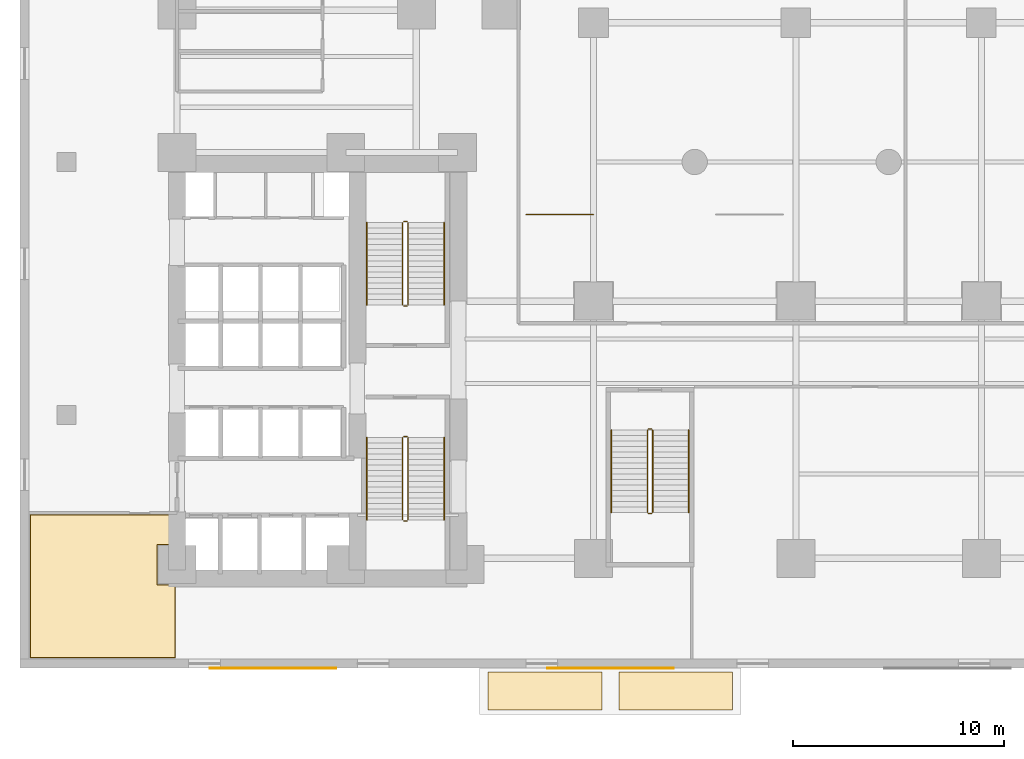
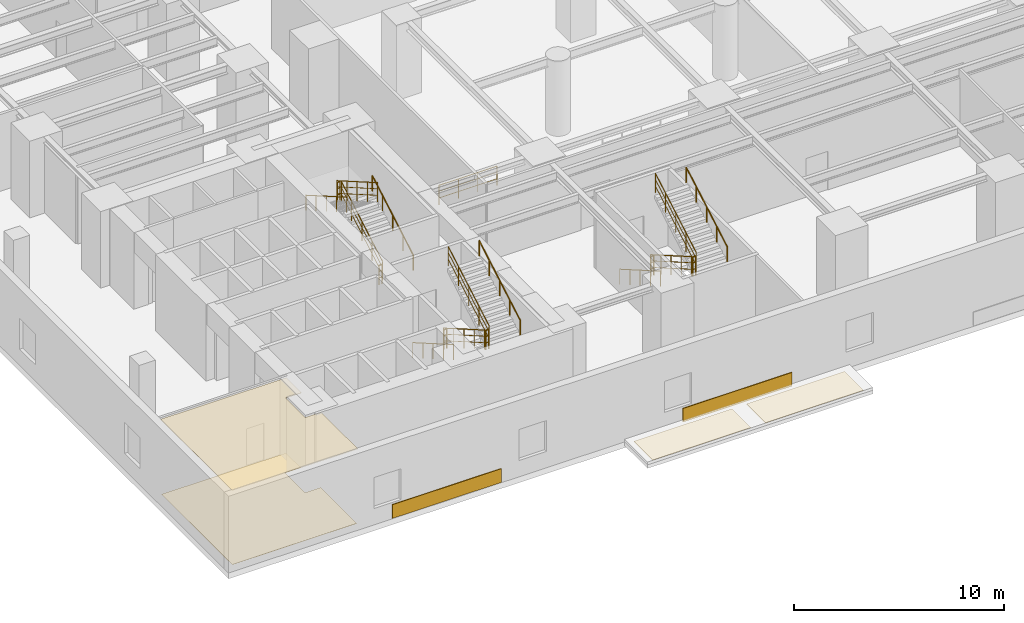
# One storey, part 16 of 17: 19 railings, 6 coverings.
"""IFC4 building model written with IfcOpenShell, lengths in metres."""

import ifcopenshell
import ifcopenshell.guid

model = None  # the IFC model being written
_history = None  # IfcOwnerHistory: only IFC2X3 demands one
_inside = {}  # id of a spatial element -> (the spatial element, [elements in it])
_under = {}  # id of a project, library or spatial element -> (it, [spatial elements below it])
_declared = {}  # id of a project -> (the project, [libraries it declares])
_typed = {}  # id of a type object -> (the type object, [elements of that type])
_made_of = {}  # id of a material, layer set ... -> (it, [elements and type objects made of it])


def new_model(schema):
    """Start an empty IFC model of exactly this schema.

    Asked for "IFC4X3", IfcOpenShell would pick the latest addendum, in which some entities
    have other attributes; the version numbers below select the first issue.
    IFC2X3 requires an IfcOwnerHistory on every rooted entity: one is made here for all.
    """
    global model, _history
    if schema == "IFC4X3":
        model = ifcopenshell.file(schema_version=(4, 3, 0, 0))
    else:
        model = ifcopenshell.file(schema=schema)
    _inside.clear()
    _under.clear()
    _declared.clear()
    _typed.clear()
    _made_of.clear()
    _history = None
    if model.schema == "IFC2X3":
        org = make("IfcOrganization", Name="unknown")
        user = make(
            "IfcPersonAndOrganization",
            ThePerson=make("IfcPerson", FamilyName="unknown"),
            TheOrganization=org,
        )
        app = make(
            "IfcApplication",
            ApplicationDeveloper=org,
            Version="unknown",
            ApplicationFullName="unknown",
            ApplicationIdentifier="unknown",
        )
        _history = make(
            "IfcOwnerHistory",
            OwningUser=user,
            OwningApplication=app,
            ChangeAction="ADDED",
            CreationDate=0,
        )
    return model


def make(cls, **values):
    """One entity of the class cls with the attributes given. An attribute that is None is left unset."""
    return model.create_entity(
        cls, **{name: value for name, value in values.items() if value is not None}
    )


def rooted(cls, **values):
    """An entity with a GlobalId (a new one), such as an element, a storey or a relation."""
    return make(cls, GlobalId=ifcopenshell.guid.new(), OwnerHistory=_history, **values)


def si_unit(unit_type, name, prefix=None):
    """IfcSIUnit, for example si_unit("LENGTHUNIT", "METRE", prefix="MILLI")."""
    return make("IfcSIUnit", UnitType=unit_type, Prefix=prefix, Name=name)


def assignment(units):
    """IfcUnitAssignment: the units of a project."""
    return None if units is None else make("IfcUnitAssignment", Units=units)


def point(xyz):
    """IfcCartesianPoint."""
    return None if xyz is None else make("IfcCartesianPoint", Coordinates=xyz)


def direction(xyz):
    """IfcDirection."""
    return None if xyz is None else make("IfcDirection", DirectionRatios=xyz)


def frame(location, z_axis=None, x_axis=None):
    """IfcAxis2Placement3D, a coordinate frame: its origin and axes. An axis left out is left unset."""
    return make(
        "IfcAxis2Placement3D",
        Location=point(location),
        Axis=direction(z_axis),
        RefDirection=direction(x_axis),
    )


def frame_2d(location, x_axis=None):
    """IfcAxis2Placement2D, a coordinate frame in the plane: its origin and x axis."""
    return make(
        "IfcAxis2Placement2D", Location=point(location), RefDirection=direction(x_axis)
    )


def origin():
    """The frame at (0, 0, 0) with its axes left unset."""
    return frame((0.0, 0.0, 0.0))


def origin_2d():
    """The frame at (0, 0) in the plane with its x axis left unset."""
    return frame_2d((0.0, 0.0))


def place(relative_to, where):
    """IfcLocalPlacement: puts the frame where relative to a parent placement (None: the world)."""
    return make(
        "IfcLocalPlacement", PlacementRelTo=relative_to, RelativePlacement=where
    )


def context(
    kind, dimensions, precision=None, world=None, true_north=None, identifier=None
):
    """IfcGeometricRepresentationContext, for example the 3D "Model" context."""
    return make(
        "IfcGeometricRepresentationContext",
        ContextIdentifier=identifier,
        ContextType=kind,
        CoordinateSpaceDimension=dimensions,
        Precision=precision,
        WorldCoordinateSystem=world,
        TrueNorth=true_north,
    )


def subcontext(parent, identifier, kind, view, scale=None):
    """IfcGeometricRepresentationSubContext, for example "Body" below "Model"."""
    return make(
        "IfcGeometricRepresentationSubContext",
        ContextIdentifier=identifier,
        ContextType=kind,
        ParentContext=parent,
        TargetScale=scale,
        TargetView=view,
    )


def project(units=None, contexts=None):
    """IfcProject with its units and contexts."""
    return rooted(
        "IfcProject",
        Name="project",
        RepresentationContexts=contexts,
        UnitsInContext=assignment(units),
    )


def spatial(cls, under=None, at=None, **own):
    """A site, building, storey or space (cls), placed at a placement, below another one or the project."""
    s = rooted(cls, ObjectPlacement=at, **own)
    if under is not None:
        _under.setdefault(under.id(), (under, []))[1].append(s)
    return s


def polyline(points):
    """IfcPolyline through the points."""
    return make("IfcPolyline", Points=[point(p) for p in points])


def profile(cls, at=None, kind="AREA", **sizes):
    """A parametric profile (cls). Its sizes go by their IFC names, for example OverallWidth=200.0."""
    return make(cls, ProfileType=kind, Position=at, **sizes)


def rectangle(**sizes):
    """IfcRectangleProfileDef."""
    return profile("IfcRectangleProfileDef", **sizes)


def circle(**sizes):
    """IfcCircleProfileDef."""
    return profile("IfcCircleProfileDef", **sizes)


def outline(outer, holes=None, kind="AREA"):
    """IfcArbitraryClosedProfileDef: a profile drawn as a closed curve; with holes, ...WithVoids."""
    if holes is None:
        return make("IfcArbitraryClosedProfileDef", ProfileType=kind, OuterCurve=outer)
    return make(
        "IfcArbitraryProfileDefWithVoids",
        ProfileType=kind,
        OuterCurve=outer,
        InnerCurves=holes,
    )


def extrude(swept, where, along, depth):
    """IfcExtrudedAreaSolid: the profile swept, set in the frame where, extruded along a direction by depth."""
    return make(
        "IfcExtrudedAreaSolid",
        SweptArea=swept,
        Position=where,
        ExtrudedDirection=direction(along),
        Depth=depth,
    )


def shape(context_of_items, identifier, shape_type, items):
    """IfcShapeRepresentation: the items that make up one representation, for example the "Body"."""
    return make(
        "IfcShapeRepresentation",
        ContextOfItems=context_of_items,
        RepresentationIdentifier=identifier,
        RepresentationType=shape_type,
        Items=items,
    )


def material(Name=None, Category=None):
    """IfcMaterial."""
    return make("IfcMaterial", Name=Name, Category=Category)


def layer(
    of_material, thickness, ventilated=None, Name=None, Category=None, Priority=None
):
    """IfcMaterialLayer: one layer of a wall or slab, of a material (None: an air gap)."""
    return make(
        "IfcMaterialLayer",
        Material=of_material,
        LayerThickness=thickness,
        IsVentilated=ventilated,
        Name=Name,
        Category=Category,
        Priority=Priority,
    )


def layer_set(layers, Name=None):
    """IfcMaterialLayerSet."""
    return make("IfcMaterialLayerSet", MaterialLayers=layers, LayerSetName=Name)


def made_of(thing, what):
    """Note that an element or type object is made of a material, layer set ...; save() writes the relation."""
    if what is not None:
        _made_of.setdefault(what.id(), (what, []))[1].append(thing)
    return thing


def type_object(cls, material=None, **own):
    """A type object (cls), such as IfcWallType, which elements share."""
    return made_of(rooted(cls, **own), material)


def element(
    cls,
    number,
    at=None,
    inside=None,
    cuts=None,
    type_object=None,
    material=None,
    context=None,
    identifier="Body",
    shape_type=None,
    held_by="IfcProductDefinitionShape",
    body=None,
    shapes=None,
    **own,
):
    """One element of the class cls, such as IfcWall. Its Tag is "e" and its number.

    at: its placement. inside: the storey or other place that contains it. cuts: it is an
    opening in that element (IfcRelVoidsElement). A single representation is given by context,
    identifier, shape_type and body (its items); several are given by shapes. held_by: the class
    of the entity that holds the representations. save() writes the other relations.
    """
    e = rooted(cls, Tag="e%d" % number, ObjectPlacement=at, **own)
    if body is not None:
        shapes = [shape(context, identifier, shape_type, body)]
    if shapes is not None:
        e.Representation = make(held_by, Representations=shapes)
    if inside is not None:
        _inside.setdefault(inside.id(), (inside, []))[1].append(e)
    if cuts is not None:
        rooted(
            "IfcRelVoidsElement", RelatingBuildingElement=cuts, RelatedOpeningElement=e
        )
    if type_object is not None:
        _typed.setdefault(type_object.id(), (type_object, []))[1].append(e)
    return made_of(e, material)


def aggregate(whole, parts):
    """IfcRelAggregates: a whole, such as a stair, and the parts it consists of."""
    return rooted("IfcRelAggregates", RelatingObject=whole, RelatedObjects=parts)


def save(model, path):
    """Write the relations noted so far, then the file.

    IfcRelAggregates (storeys below a building ...), IfcRelContainedInSpatialStructure (elements
    in a storey), IfcRelDefinesByType, IfcRelAssociatesMaterial and IfcRelDeclares: one each for
    every whole, place, type object, material and project.
    """
    for whole, parts in _under.values():
        aggregate(whole, parts)
    for where, things in _inside.values():
        rooted(
            "IfcRelContainedInSpatialStructure",
            RelatedElements=things,
            RelatingStructure=where,
        )
    for kind, things in _typed.values():
        rooted("IfcRelDefinesByType", RelatedObjects=things, RelatingType=kind)
    for what, things in _made_of.values():
        rooted("IfcRelAssociatesMaterial", RelatedObjects=things, RelatingMaterial=what)
    for by, libraries in _declared.values():
        rooted("IfcRelDeclares", RelatingContext=by, RelatedDefinitions=libraries)
    model.write(path)


model = new_model("IFC4")

# Units and contexts
model_context = context("Model", 3, precision=1e-05, world=origin(), true_north=direction((0.0, 1.0)))
body_context = subcontext(model_context, "Body", "Model", "MODEL_VIEW")
ifc_project = project(units=[si_unit("LENGTHUNIT", "METRE"), si_unit("AREAUNIT", "SQUARE_METRE"), si_unit("VOLUMEUNIT", "CUBIC_METRE"), si_unit("PLANEANGLEUNIT", "RADIAN"), si_unit("MASSUNIT", "GRAM", prefix="KILO")], contexts=[model_context])

# Site, building, storey
site_placement = place(None, origin())
site = spatial("IfcSite", under=ifc_project, at=site_placement, CompositionType="ELEMENT")
building_placement = place(site_placement, origin())
building = spatial("IfcBuilding", under=site, at=building_placement, Name="Kolvaren Waterfront Exchange", CompositionType="ELEMENT")
storey_placement = place(building_placement, frame((0.0, 0.0, 5.60009765625)))
storey = spatial("IfcBuildingStorey", under=building, at=storey_placement, Name="L02", CompositionType="ELEMENT", Elevation=5.60009765625)

# Railing
ifc_material_1 = material(Name="Anodised bronze aluminium and laminated glass", Category="aluminium")
railing_type_1 = type_object("IfcRailingType", Name="ARC-BALUSTRADE-1150", PredefinedType="BALUSTRADE", material=ifc_material_1)
railing_1_placement = place(storey_placement, frame((24.0, 21.5, 0.0)))
element("IfcRailing", 1, at=railing_1_placement, inside=storey, type_object=railing_type_1, Name="L02 gallery balustrade 1", PredefinedType="BALUSTRADE", context=body_context, shape_type="SweptSolid", body=[
    extrude(circle(Radius=0.02392578125, at=origin_2d()), frame((0.0, 0.0, 1.1259765625), z_axis=(1.0, 0.0, 0.0), x_axis=(0.0, 1.0, 0.0)), (0.0, 0.0, 1.0), 3.199951171875),
    extrude(circle(Radius=0.01611328125, at=origin_2d()), frame((0.0, 0.0, 0.390869140625), z_axis=(1.0, 0.0, 0.0), x_axis=(0.0, 1.0, 0.0)), (0.0, 0.0, 1.0), 3.199951171875),
    extrude(circle(Radius=0.01611328125, at=origin_2d()), frame((0.0, 0.0, 0.7705078125), z_axis=(1.0, 0.0, 0.0), x_axis=(0.0, 1.0, 0.0)), (0.0, 0.0, 1.0), 3.199951171875),
    extrude(circle(Radius=0.02099609375, at=origin_2d()), origin(), (0.0, 0.0, 1.0), 1.101806640625),
    extrude(circle(Radius=0.02099609375, at=origin_2d()), frame((1.066650390625, 0.0, 0.0)), (0.0, 0.0, 1.0), 1.101806640625),
    extrude(circle(Radius=0.02099609375, at=origin_2d()), frame((2.13330078125, 0.0, 0.0)), (0.0, 0.0, 1.0), 1.101806640625),
    extrude(circle(Radius=0.02099609375, at=origin_2d()), frame((3.199951171875, 0.0, 0.0)), (0.0, 0.0, 1.0), 1.101806640625),
])

# Coverings
ifc_material_2 = material(Name="Mineral fibre acoustic ceiling tile")
ifc_layer_1 = layer(ifc_material_2, 0.02490234375, Name="Mineral fibre acoustic ceiling tile")
ifc_layer_set_1 = layer_set([ifc_layer_1], Name="Mineral fibre acoustic ceiling tile")
covering_type_1 = type_object("IfcCoveringType", Name="ARC-CEIL-ACOUSTIC-25", PredefinedType="CEILING", material=ifc_layer_set_1)
covering_1_placement = place(storey_placement, frame((0.0, 0.0, 4.344970703125)))
element("IfcCovering", 2, at=covering_1_placement, inside=storey, type_object=covering_type_1, Name="L02 acoustic suspended ceiling 1", PredefinedType="CEILING", context=body_context, shape_type="SweptSolid", body=[
    extrude(outline(polyline([(7.385009765625, 3.9599609375), (6.510009765625, 3.9599609375), (6.510009765625, 5.840087890625), (7.385009765625, 5.840087890625), (7.385009765625, 7.284912109375), (0.465087890625, 7.284912109375), (0.465087890625, 0.465087890625), (7.385009765625, 0.465087890625), (7.385009765625, 3.9599609375)])), origin(), (0.0, 0.0, 1.0), 0.02490234375),
])
ifc_material_3 = material(Name="Honed grey-taupe granite stone", Category="masonry")
ifc_layer_2 = layer(ifc_material_3, 0.044921875, Name="Honed grey-taupe granite stone")
ifc_layer_set_2 = layer_set([ifc_layer_2], Name="Honed grey-taupe granite stone")
covering_type_2 = type_object("IfcCoveringType", Name="ARC-CLAD-GRANITE-45", PredefinedType="CLADDING", material=ifc_layer_set_2)
for number, where, z_axis, x_axis, name in (
    (3, (12.0, -0.02001953125, 0.0498046875), (0.0, 0.0, 1.0), (1.0, 0.0, 0.0), "L02 honed grey-taupe granite spandrel cladding S1"),
    (4, (28.0, -0.02001953125, 0.0498046875), (0.0, 0.0, 1.0), (1.0, 0.0, 0.0), "L02 honed grey-taupe granite spandrel cladding S2"),
):
    element("IfcCovering", number, at=place(storey_placement, frame(where, z_axis=z_axis, x_axis=x_axis)), inside=storey, type_object=covering_type_2, Name=name, PredefinedType="CLADDING", context=body_context, shape_type="SweptSolid", body=[
        extrude(rectangle(XDim=6.0, YDim=0.044921875, at=origin_2d()), origin(), (0.0, 0.0, 1.0), 0.800048828125),
    ])
ifc_material_4 = material(Name="Slip-resistant porcelain tile")
ifc_layer_3 = layer(ifc_material_4, 0.014892578125, Name="Slip-resistant porcelain tile")
ifc_layer_set_3 = layer_set([ifc_layer_3], Name="Slip-resistant porcelain tile")
covering_type_3 = type_object("IfcCoveringType", Name="ARC-FLR-PORC-15", PredefinedType="FLOORING", material=ifc_layer_set_3)
covering_2_placement = place(storey_placement, origin())
element("IfcCovering", 5, at=covering_2_placement, inside=storey, type_object=covering_type_3, Name="L02 floor finish 1", PredefinedType="FLOORING", context=body_context, shape_type="SweptSolid", body=[
    extrude(outline(polyline([(0.5, 7.25), (0.5, 0.5), (7.35009765625, 0.5), (7.35009765625, 3.93994140625), (6.489990234375, 3.93994140625), (6.489990234375, 5.860107421875), (7.35009765625, 5.860107421875), (7.35009765625, 7.25), (0.5, 7.25)])), origin(), (0.0, 0.0, 1.0), 0.014892578125),
])

# Railings
ifc_material_5 = material(Name="Stainless steel 316", Category="steel")
railing_type_2 = type_object("IfcRailingType", Name="ARC-GUARD-STAIR", PredefinedType="GUARDRAIL", material=ifc_material_5)
railing_2_placement = place(storey_placement, frame((18.14990234375, 10.929931640625, 0.14990234375)))
element("IfcRailing", 6, at=railing_2_placement, inside=storey, type_object=railing_type_2, Name="L02 ST1 stair guard 1", PredefinedType="GUARDRAIL", context=body_context, shape_type="SweptSolid", body=[
    extrude(circle(Radius=0.02392578125, at=origin_2d()), frame((0.0, 0.0, 1.1259765625), z_axis=(0.0, -0.866180169578, 0.49973184192), x_axis=(1.0, 0.0, 0.0)), (0.0, 0.0, 1.0), 4.50244140625),
    extrude(circle(Radius=0.01611328125, at=origin_2d()), frame((0.0, 0.0, 0.390869140625), z_axis=(0.0, -0.866180169578, 0.49973184192), x_axis=(1.0, 0.0, 0.0)), (0.0, 0.0, 1.0), 4.50244140625),
    extrude(circle(Radius=0.01611328125, at=origin_2d()), frame((0.0, 0.0, 0.7705078125), z_axis=(0.0, -0.866180169578, 0.49973184192), x_axis=(1.0, 0.0, 0.0)), (0.0, 0.0, 1.0), 4.50244140625),
    extrude(circle(Radius=0.02099609375, at=origin_2d()), origin(), (0.0, 0.0, 1.0), 1.101806640625),
    extrude(circle(Radius=0.02099609375, at=origin_2d()), frame((0.0, -0.97509765625, 0.5625)), (0.0, 0.0, 1.0), 1.101806640625),
    extrude(circle(Radius=0.02099609375, at=origin_2d()), frame((0.0, -1.949951171875, 1.125)), (0.0, 0.0, 1.0), 1.101806640625),
    extrude(circle(Radius=0.02099609375, at=origin_2d()), frame((0.0, -2.9248046875, 1.6875)), (0.0, 0.0, 1.0), 1.101806640625),
    extrude(circle(Radius=0.02099609375, at=origin_2d()), frame((0.0, -3.89990234375, 2.25)), (0.0, 0.0, 1.0), 1.101806640625),
])
railing_3_placement = place(storey_placement, frame((18.199951171875, 6.97998046875, 2.39990234375)))
element("IfcRailing", 7, at=railing_3_placement, inside=storey, type_object=railing_type_2, Name="L02 ST1 stair guard 2", PredefinedType="GUARDRAIL", context=body_context, shape_type="SweptSolid", body=[
    extrude(circle(Radius=0.02392578125, at=origin_2d()), frame((0.0, 0.0, 1.1259765625), z_axis=(1.0, 0.0, 0.0), x_axis=(0.0, 1.0, 0.0)), (0.0, 0.0, 1.0), 0.16015625),
    extrude(circle(Radius=0.01611328125, at=origin_2d()), frame((0.0, 0.0, 0.390869140625), z_axis=(1.0, 0.0, 0.0), x_axis=(0.0, 1.0, 0.0)), (0.0, 0.0, 1.0), 0.16015625),
    extrude(circle(Radius=0.01611328125, at=origin_2d()), frame((0.0, 0.0, 0.7705078125), z_axis=(1.0, 0.0, 0.0), x_axis=(0.0, 1.0, 0.0)), (0.0, 0.0, 1.0), 0.16015625),
    extrude(circle(Radius=0.02099609375, at=origin_2d()), origin(), (0.0, 0.0, 1.0), 1.101806640625),
    extrude(circle(Radius=0.02099609375, at=origin_2d()), frame((0.16015625, 0.0, 0.0)), (0.0, 0.0, 1.0), 1.101806640625),
])
railing_4_placement = place(storey_placement, frame((18.409912109375, 7.030029296875, 2.5498046875)))
element("IfcRailing", 8, at=railing_4_placement, inside=storey, type_object=railing_type_2, Name="L02 ST1 stair guard 3", PredefinedType="GUARDRAIL", context=body_context, shape_type="SweptSolid", body=[
    extrude(circle(Radius=0.02392578125, at=origin_2d()), frame((0.0, 0.0, 1.1259765625), z_axis=(0.0, 0.866180169578, 0.49973184192), x_axis=(-1.0, 0.0, 0.0)), (0.0, 0.0, 1.0), 4.50244140625),
    extrude(circle(Radius=0.01611328125, at=origin_2d()), frame((0.0, 0.0, 0.390869140625), z_axis=(0.0, 0.866180169578, 0.49973184192), x_axis=(-1.0, 0.0, 0.0)), (0.0, 0.0, 1.0), 4.50244140625),
    extrude(circle(Radius=0.01611328125, at=origin_2d()), frame((0.0, 0.0, 0.7705078125), z_axis=(0.0, 0.866180169578, 0.49973184192), x_axis=(-1.0, 0.0, 0.0)), (0.0, 0.0, 1.0), 4.50244140625),
    extrude(circle(Radius=0.02099609375, at=origin_2d()), origin(), (0.0, 0.0, 1.0), 1.101806640625),
    extrude(circle(Radius=0.02099609375, at=origin_2d()), frame((0.0, 0.97509765625, 0.5625)), (0.0, 0.0, 1.0), 1.101806640625),
    extrude(circle(Radius=0.02099609375, at=origin_2d()), frame((0.0, 1.949951171875, 1.125)), (0.0, 0.0, 1.0), 1.101806640625),
    extrude(circle(Radius=0.02099609375, at=origin_2d()), frame((0.0, 2.9248046875, 1.6875)), (0.0, 0.0, 1.0), 1.101806640625),
    extrude(circle(Radius=0.02099609375, at=origin_2d()), frame((0.0, 3.89990234375, 2.25)), (0.0, 0.0, 1.0), 1.101806640625),
])
railing_5_placement = place(storey_placement, frame((18.199951171875, 10.97998046875, 0.0)))
element("IfcRailing", 9, at=railing_5_placement, inside=storey, type_object=railing_type_2, Name="L02 ST1 stair guard 4", PredefinedType="GUARDRAIL", context=body_context, shape_type="SweptSolid", body=[
    extrude(circle(Radius=0.02392578125, at=origin_2d()), frame((0.0, 0.0, 1.1259765625), z_axis=(1.0, 0.0, 0.0), x_axis=(0.0, 1.0, 0.0)), (0.0, 0.0, 1.0), 0.16015625),
    extrude(circle(Radius=0.01611328125, at=origin_2d()), frame((0.0, 0.0, 0.390869140625), z_axis=(1.0, 0.0, 0.0), x_axis=(0.0, 1.0, 0.0)), (0.0, 0.0, 1.0), 0.16015625),
    extrude(circle(Radius=0.01611328125, at=origin_2d()), frame((0.0, 0.0, 0.7705078125), z_axis=(1.0, 0.0, 0.0), x_axis=(0.0, 1.0, 0.0)), (0.0, 0.0, 1.0), 0.16015625),
    extrude(circle(Radius=0.02099609375, at=origin_2d()), origin(), (0.0, 0.0, 1.0), 1.101806640625),
    extrude(circle(Radius=0.02099609375, at=origin_2d()), frame((0.16015625, 0.0, 0.0)), (0.0, 0.0, 1.0), 1.101806640625),
])
railing_6_placement = place(storey_placement, frame((18.409912109375, 17.219970703125, 0.14990234375)))
element("IfcRailing", 10, at=railing_6_placement, inside=storey, type_object=railing_type_2, Name="L02 ST2 stair guard 1", PredefinedType="GUARDRAIL", context=body_context, shape_type="SweptSolid", body=[
    extrude(circle(Radius=0.02392578125, at=origin_2d()), frame((0.0, 0.0, 1.1259765625), z_axis=(0.0, 0.866193710181, 0.499708371395), x_axis=(-1.0, 0.0, 0.0)), (0.0, 0.0, 1.0), 4.502685546875),
    extrude(circle(Radius=0.01611328125, at=origin_2d()), frame((0.0, 0.0, 0.390869140625), z_axis=(0.0, 0.866193710181, 0.499708371395), x_axis=(-1.0, 0.0, 0.0)), (0.0, 0.0, 1.0), 4.502685546875),
    extrude(circle(Radius=0.01611328125, at=origin_2d()), frame((0.0, 0.0, 0.7705078125), z_axis=(0.0, 0.866193710181, 0.499708371395), x_axis=(-1.0, 0.0, 0.0)), (0.0, 0.0, 1.0), 4.502685546875),
    extrude(circle(Radius=0.02099609375, at=origin_2d()), origin(), (0.0, 0.0, 1.0), 1.101806640625),
    extrude(circle(Radius=0.02099609375, at=origin_2d()), frame((0.0, 0.97509765625, 0.5625)), (0.0, 0.0, 1.0), 1.101806640625),
    extrude(circle(Radius=0.02099609375, at=origin_2d()), frame((0.0, 1.9501953125, 1.125)), (0.0, 0.0, 1.0), 1.101806640625),
    extrude(circle(Radius=0.02099609375, at=origin_2d()), frame((0.0, 2.925048828125, 1.6875)), (0.0, 0.0, 1.0), 1.101806640625),
    extrude(circle(Radius=0.02099609375, at=origin_2d()), frame((0.0, 3.900146484375, 2.25)), (0.0, 0.0, 1.0), 1.101806640625),
])
railing_7_placement = place(storey_placement, frame((18.360107421875, 21.169921875, 2.39990234375)))
element("IfcRailing", 11, at=railing_7_placement, inside=storey, type_object=railing_type_2, Name="L02 ST2 stair guard 2", PredefinedType="GUARDRAIL", context=body_context, shape_type="SweptSolid", body=[
    extrude(circle(Radius=0.02392578125, at=origin_2d()), frame((0.0, 0.0, 1.1259765625), z_axis=(-1.0, 0.0, 0.0), x_axis=(0.0, -1.0, 0.0)), (0.0, 0.0, 1.0), 0.16015625),
    extrude(circle(Radius=0.01611328125, at=origin_2d()), frame((0.0, 0.0, 0.390869140625), z_axis=(-1.0, 0.0, 0.0), x_axis=(0.0, -1.0, 0.0)), (0.0, 0.0, 1.0), 0.16015625),
    extrude(circle(Radius=0.01611328125, at=origin_2d()), frame((0.0, 0.0, 0.7705078125), z_axis=(-1.0, 0.0, 0.0), x_axis=(0.0, -1.0, 0.0)), (0.0, 0.0, 1.0), 0.16015625),
    extrude(circle(Radius=0.02099609375, at=origin_2d()), origin(), (0.0, 0.0, 1.0), 1.101806640625),
    extrude(circle(Radius=0.02099609375, at=origin_2d()), frame((-0.16015625, 0.0, 0.0)), (0.0, 0.0, 1.0), 1.101806640625),
])
railing_8_placement = place(storey_placement, frame((18.14990234375, 21.1201171875, 2.5498046875)))
element("IfcRailing", 12, at=railing_8_placement, inside=storey, type_object=railing_type_2, Name="L02 ST2 stair guard 3", PredefinedType="GUARDRAIL", context=body_context, shape_type="SweptSolid", body=[
    extrude(circle(Radius=0.02392578125, at=origin_2d()), frame((0.0, 0.0, 1.1259765625), z_axis=(0.0, -0.866193710181, 0.499708371395), x_axis=(1.0, 0.0, 0.0)), (0.0, 0.0, 1.0), 4.502685546875),
    extrude(circle(Radius=0.01611328125, at=origin_2d()), frame((0.0, 0.0, 0.390869140625), z_axis=(0.0, -0.866193710181, 0.499708371395), x_axis=(1.0, 0.0, 0.0)), (0.0, 0.0, 1.0), 4.502685546875),
    extrude(circle(Radius=0.01611328125, at=origin_2d()), frame((0.0, 0.0, 0.7705078125), z_axis=(0.0, -0.866193710181, 0.499708371395), x_axis=(1.0, 0.0, 0.0)), (0.0, 0.0, 1.0), 4.502685546875),
    extrude(circle(Radius=0.02099609375, at=origin_2d()), origin(), (0.0, 0.0, 1.0), 1.101806640625),
    extrude(circle(Radius=0.02099609375, at=origin_2d()), frame((0.0, -0.97509765625, 0.5625)), (0.0, 0.0, 1.0), 1.101806640625),
    extrude(circle(Radius=0.02099609375, at=origin_2d()), frame((0.0, -1.9501953125, 1.125)), (0.0, 0.0, 1.0), 1.101806640625),
    extrude(circle(Radius=0.02099609375, at=origin_2d()), frame((0.0, -2.925048828125, 1.6875)), (0.0, 0.0, 1.0), 1.101806640625),
    extrude(circle(Radius=0.02099609375, at=origin_2d()), frame((0.0, -3.900146484375, 2.25)), (0.0, 0.0, 1.0), 1.101806640625),
])
railing_9_placement = place(storey_placement, frame((18.360107421875, 17.169921875, 0.0)))
element("IfcRailing", 13, at=railing_9_placement, inside=storey, type_object=railing_type_2, Name="L02 ST2 stair guard 4", PredefinedType="GUARDRAIL", context=body_context, shape_type="SweptSolid", body=[
    extrude(circle(Radius=0.02392578125, at=origin_2d()), frame((0.0, 0.0, 1.1259765625), z_axis=(-1.0, 0.0, 0.0), x_axis=(0.0, -1.0, 0.0)), (0.0, 0.0, 1.0), 0.16015625),
    extrude(circle(Radius=0.01611328125, at=origin_2d()), frame((0.0, 0.0, 0.390869140625), z_axis=(-1.0, 0.0, 0.0), x_axis=(0.0, -1.0, 0.0)), (0.0, 0.0, 1.0), 0.16015625),
    extrude(circle(Radius=0.01611328125, at=origin_2d()), frame((0.0, 0.0, 0.7705078125), z_axis=(-1.0, 0.0, 0.0), x_axis=(0.0, -1.0, 0.0)), (0.0, 0.0, 1.0), 0.16015625),
    extrude(circle(Radius=0.02099609375, at=origin_2d()), origin(), (0.0, 0.0, 1.0), 1.101806640625),
    extrude(circle(Radius=0.02099609375, at=origin_2d()), frame((-0.16015625, 0.0, 0.0)), (0.0, 0.0, 1.0), 1.101806640625),
])
railing_10_placement = place(storey_placement, frame((29.75, 11.280029296875, 0.14990234375)))
element("IfcRailing", 14, at=railing_10_placement, inside=storey, type_object=railing_type_2, Name="L02 ST3 stair guard 1", PredefinedType="GUARDRAIL", context=body_context, shape_type="SweptSolid", body=[
    extrude(circle(Radius=0.02392578125, at=origin_2d()), frame((0.0, 0.0, 1.1259765625), z_axis=(0.0, -0.866193710181, 0.499708371395), x_axis=(1.0, 0.0, 0.0)), (0.0, 0.0, 1.0), 4.502685546875),
    extrude(circle(Radius=0.01611328125, at=origin_2d()), frame((0.0, 0.0, 0.390869140625), z_axis=(0.0, -0.866193710181, 0.499708371395), x_axis=(1.0, 0.0, 0.0)), (0.0, 0.0, 1.0), 4.502685546875),
    extrude(circle(Radius=0.01611328125, at=origin_2d()), frame((0.0, 0.0, 0.7705078125), z_axis=(0.0, -0.866193710181, 0.499708371395), x_axis=(1.0, 0.0, 0.0)), (0.0, 0.0, 1.0), 4.502685546875),
    extrude(circle(Radius=0.02099609375, at=origin_2d()), origin(), (0.0, 0.0, 1.0), 1.101806640625),
    extrude(circle(Radius=0.02099609375, at=origin_2d()), frame((0.0, -0.97509765625, 0.5625)), (0.0, 0.0, 1.0), 1.101806640625),
    extrude(circle(Radius=0.02099609375, at=origin_2d()), frame((0.0, -1.9501953125, 1.125)), (0.0, 0.0, 1.0), 1.101806640625),
    extrude(circle(Radius=0.02099609375, at=origin_2d()), frame((0.0, -2.925048828125, 1.6875)), (0.0, 0.0, 1.0), 1.101806640625),
    extrude(circle(Radius=0.02099609375, at=origin_2d()), frame((0.0, -3.900146484375, 2.25)), (0.0, 0.0, 1.0), 1.101806640625),
])
railing_11_placement = place(storey_placement, frame((29.800048828125, 7.330078125, 2.39990234375)))
element("IfcRailing", 15, at=railing_11_placement, inside=storey, type_object=railing_type_2, Name="L02 ST3 stair guard 2", PredefinedType="GUARDRAIL", context=body_context, shape_type="SweptSolid", body=[
    extrude(circle(Radius=0.02392578125, at=origin_2d()), frame((0.0, 0.0, 1.1259765625), z_axis=(1.0, 0.0, 0.0), x_axis=(0.0, 1.0, 0.0)), (0.0, 0.0, 1.0), 0.159912109375),
    extrude(circle(Radius=0.01611328125, at=origin_2d()), frame((0.0, 0.0, 0.390869140625), z_axis=(1.0, 0.0, 0.0), x_axis=(0.0, 1.0, 0.0)), (0.0, 0.0, 1.0), 0.159912109375),
    extrude(circle(Radius=0.01611328125, at=origin_2d()), frame((0.0, 0.0, 0.7705078125), z_axis=(1.0, 0.0, 0.0), x_axis=(0.0, 1.0, 0.0)), (0.0, 0.0, 1.0), 0.159912109375),
    extrude(circle(Radius=0.02099609375, at=origin_2d()), origin(), (0.0, 0.0, 1.0), 1.101806640625),
    extrude(circle(Radius=0.02099609375, at=origin_2d()), frame((0.159912109375, 0.0, 0.0)), (0.0, 0.0, 1.0), 1.101806640625),
])
railing_12_placement = place(storey_placement, frame((30.010009765625, 7.3798828125, 2.5498046875)))
element("IfcRailing", 16, at=railing_12_placement, inside=storey, type_object=railing_type_2, Name="L02 ST3 stair guard 3", PredefinedType="GUARDRAIL", context=body_context, shape_type="SweptSolid", body=[
    extrude(circle(Radius=0.02392578125, at=origin_2d()), frame((0.0, 0.0, 1.1259765625), z_axis=(0.0, 0.866193710181, 0.499708371395), x_axis=(-1.0, 0.0, 0.0)), (0.0, 0.0, 1.0), 4.502685546875),
    extrude(circle(Radius=0.01611328125, at=origin_2d()), frame((0.0, 0.0, 0.390869140625), z_axis=(0.0, 0.866193710181, 0.499708371395), x_axis=(-1.0, 0.0, 0.0)), (0.0, 0.0, 1.0), 4.502685546875),
    extrude(circle(Radius=0.01611328125, at=origin_2d()), frame((0.0, 0.0, 0.7705078125), z_axis=(0.0, 0.866193710181, 0.499708371395), x_axis=(-1.0, 0.0, 0.0)), (0.0, 0.0, 1.0), 4.502685546875),
    extrude(circle(Radius=0.02099609375, at=origin_2d()), origin(), (0.0, 0.0, 1.0), 1.101806640625),
    extrude(circle(Radius=0.02099609375, at=origin_2d()), frame((0.0, 0.97509765625, 0.5625)), (0.0, 0.0, 1.0), 1.101806640625),
    extrude(circle(Radius=0.02099609375, at=origin_2d()), frame((0.0, 1.9501953125, 1.125)), (0.0, 0.0, 1.0), 1.101806640625),
    extrude(circle(Radius=0.02099609375, at=origin_2d()), frame((0.0, 2.925048828125, 1.6875)), (0.0, 0.0, 1.0), 1.101806640625),
    extrude(circle(Radius=0.02099609375, at=origin_2d()), frame((0.0, 3.900146484375, 2.25)), (0.0, 0.0, 1.0), 1.101806640625),
])
railing_13_placement = place(storey_placement, frame((29.800048828125, 11.330078125, 0.0)))
element("IfcRailing", 17, at=railing_13_placement, inside=storey, type_object=railing_type_2, Name="L02 ST3 stair guard 4", PredefinedType="GUARDRAIL", context=body_context, shape_type="SweptSolid", body=[
    extrude(circle(Radius=0.02392578125, at=origin_2d()), frame((0.0, 0.0, 1.1259765625), z_axis=(1.0, 0.0, 0.0), x_axis=(0.0, 1.0, 0.0)), (0.0, 0.0, 1.0), 0.159912109375),
    extrude(circle(Radius=0.01611328125, at=origin_2d()), frame((0.0, 0.0, 0.390869140625), z_axis=(1.0, 0.0, 0.0), x_axis=(0.0, 1.0, 0.0)), (0.0, 0.0, 1.0), 0.159912109375),
    extrude(circle(Radius=0.01611328125, at=origin_2d()), frame((0.0, 0.0, 0.7705078125), z_axis=(1.0, 0.0, 0.0), x_axis=(0.0, 1.0, 0.0)), (0.0, 0.0, 1.0), 0.159912109375),
    extrude(circle(Radius=0.02099609375, at=origin_2d()), origin(), (0.0, 0.0, 1.0), 1.101806640625),
    extrude(circle(Radius=0.02099609375, at=origin_2d()), frame((0.159912109375, 0.0, 0.0)), (0.0, 0.0, 1.0), 1.101806640625),
])
railing_type_3 = type_object("IfcRailingType", Name="ARC-HANDRAIL-900", PredefinedType="HANDRAIL", material=ifc_material_5)
railing_14_placement = place(storey_placement, frame((16.449951171875, 10.929931640625, 0.14990234375)))
element("IfcRailing", 18, at=railing_14_placement, inside=storey, type_object=railing_type_3, Name="L02 ST1 stair handrail 1", PredefinedType="HANDRAIL", context=body_context, shape_type="SweptSolid", body=[
    extrude(circle(Radius=0.02392578125, at=origin_2d()), frame((0.0, 0.0, 0.8759765625), z_axis=(0.0, -0.866180169578, 0.49973184192), x_axis=(1.0, 0.0, 0.0)), (0.0, 0.0, 1.0), 4.50244140625),
    extrude(circle(Radius=0.02099609375, at=origin_2d()), origin(), (0.0, 0.0, 1.0), 0.851806640625),
    extrude(circle(Radius=0.02099609375, at=origin_2d()), frame((0.0, -0.97509765625, 0.5625)), (0.0, 0.0, 1.0), 0.851806640625),
    extrude(circle(Radius=0.02099609375, at=origin_2d()), frame((0.0, -1.949951171875, 1.125)), (0.0, 0.0, 1.0), 0.851806640625),
    extrude(circle(Radius=0.02099609375, at=origin_2d()), frame((0.0, -2.9248046875, 1.6875)), (0.0, 0.0, 1.0), 0.851806640625),
    extrude(circle(Radius=0.02099609375, at=origin_2d()), frame((0.0, -3.89990234375, 2.25)), (0.0, 0.0, 1.0), 0.851806640625),
])
railing_15_placement = place(storey_placement, frame((20.110107421875, 7.030029296875, 2.5498046875)))
element("IfcRailing", 19, at=railing_15_placement, inside=storey, type_object=railing_type_3, Name="L02 ST1 stair handrail 2", PredefinedType="HANDRAIL", context=body_context, shape_type="SweptSolid", body=[
    extrude(circle(Radius=0.02392578125, at=origin_2d()), frame((0.0, 0.0, 0.8759765625), z_axis=(0.0, 0.866180169578, 0.49973184192), x_axis=(-1.0, 0.0, 0.0)), (0.0, 0.0, 1.0), 4.50244140625),
    extrude(circle(Radius=0.02099609375, at=origin_2d()), origin(), (0.0, 0.0, 1.0), 0.851806640625),
    extrude(circle(Radius=0.02099609375, at=origin_2d()), frame((0.0, 0.97509765625, 0.5625)), (0.0, 0.0, 1.0), 0.851806640625),
    extrude(circle(Radius=0.02099609375, at=origin_2d()), frame((0.0, 1.949951171875, 1.125)), (0.0, 0.0, 1.0), 0.851806640625),
    extrude(circle(Radius=0.02099609375, at=origin_2d()), frame((0.0, 2.9248046875, 1.6875)), (0.0, 0.0, 1.0), 0.851806640625),
    extrude(circle(Radius=0.02099609375, at=origin_2d()), frame((0.0, 3.89990234375, 2.25)), (0.0, 0.0, 1.0), 0.851806640625),
])
railing_16_placement = place(storey_placement, frame((20.110107421875, 17.219970703125, 0.14990234375)))
element("IfcRailing", 20, at=railing_16_placement, inside=storey, type_object=railing_type_3, Name="L02 ST2 stair handrail 1", PredefinedType="HANDRAIL", context=body_context, shape_type="SweptSolid", body=[
    extrude(circle(Radius=0.02392578125, at=origin_2d()), frame((0.0, 0.0, 0.8759765625), z_axis=(0.0, 0.866193710181, 0.499708371395), x_axis=(-1.0, 0.0, 0.0)), (0.0, 0.0, 1.0), 4.502685546875),
    extrude(circle(Radius=0.02099609375, at=origin_2d()), origin(), (0.0, 0.0, 1.0), 0.851806640625),
    extrude(circle(Radius=0.02099609375, at=origin_2d()), frame((0.0, 0.97509765625, 0.5625)), (0.0, 0.0, 1.0), 0.851806640625),
    extrude(circle(Radius=0.02099609375, at=origin_2d()), frame((0.0, 1.9501953125, 1.125)), (0.0, 0.0, 1.0), 0.851806640625),
    extrude(circle(Radius=0.02099609375, at=origin_2d()), frame((0.0, 2.925048828125, 1.6875)), (0.0, 0.0, 1.0), 0.851806640625),
    extrude(circle(Radius=0.02099609375, at=origin_2d()), frame((0.0, 3.900146484375, 2.25)), (0.0, 0.0, 1.0), 0.851806640625),
])
for number, where, name in (
    (21, (16.449951171875, 21.1201171875, 2.5498046875), "L02 ST2 stair handrail 2"),
    (22, (28.050048828125, 11.280029296875, 0.14990234375), "L02 ST3 stair handrail 1"),
):
    element("IfcRailing", number, at=place(storey_placement, frame(where)), inside=storey, type_object=railing_type_3, Name=name, PredefinedType="HANDRAIL", context=body_context, shape_type="SweptSolid", body=[
        extrude(circle(Radius=0.02392578125, at=origin_2d()), frame((0.0, 0.0, 0.8759765625), z_axis=(0.0, -0.866193710181, 0.499708371395), x_axis=(1.0, 0.0, 0.0)), (0.0, 0.0, 1.0), 4.502685546875),
        extrude(circle(Radius=0.02099609375, at=origin_2d()), origin(), (0.0, 0.0, 1.0), 0.851806640625),
        extrude(circle(Radius=0.02099609375, at=origin_2d()), frame((0.0, -0.97509765625, 0.5625)), (0.0, 0.0, 1.0), 0.851806640625),
        extrude(circle(Radius=0.02099609375, at=origin_2d()), frame((0.0, -1.9501953125, 1.125)), (0.0, 0.0, 1.0), 0.851806640625),
        extrude(circle(Radius=0.02099609375, at=origin_2d()), frame((0.0, -2.925048828125, 1.6875)), (0.0, 0.0, 1.0), 0.851806640625),
        extrude(circle(Radius=0.02099609375, at=origin_2d()), frame((0.0, -3.900146484375, 2.25)), (0.0, 0.0, 1.0), 0.851806640625),
    ])
railing_17_placement = place(storey_placement, frame((31.7099609375, 7.3798828125, 2.5498046875)))
element("IfcRailing", 23, at=railing_17_placement, inside=storey, type_object=railing_type_3, Name="L02 ST3 stair handrail 2", PredefinedType="HANDRAIL", context=body_context, shape_type="SweptSolid", body=[
    extrude(circle(Radius=0.02392578125, at=origin_2d()), frame((0.0, 0.0, 0.8759765625), z_axis=(0.0, 0.866193710181, 0.499708371395), x_axis=(-1.0, 0.0, 0.0)), (0.0, 0.0, 1.0), 4.502685546875),
    extrude(circle(Radius=0.02099609375, at=origin_2d()), origin(), (0.0, 0.0, 1.0), 0.851806640625),
    extrude(circle(Radius=0.02099609375, at=origin_2d()), frame((0.0, 0.97509765625, 0.5625)), (0.0, 0.0, 1.0), 0.851806640625),
    extrude(circle(Radius=0.02099609375, at=origin_2d()), frame((0.0, 1.9501953125, 1.125)), (0.0, 0.0, 1.0), 0.851806640625),
    extrude(circle(Radius=0.02099609375, at=origin_2d()), frame((0.0, 2.925048828125, 1.6875)), (0.0, 0.0, 1.0), 0.851806640625),
    extrude(circle(Radius=0.02099609375, at=origin_2d()), frame((0.0, 3.900146484375, 2.25)), (0.0, 0.0, 1.0), 0.851806640625),
])

# Coverings
ifc_material_6 = material(Name="Elastomeric EPDM waterproofing membrane")
ifc_layer_4 = layer(ifc_material_6, 0.02001953125, Name="Elastomeric EPDM waterproofing membrane")
ifc_layer_set_4 = layer_set([ifc_layer_4], Name="Elastomeric EPDM waterproofing membrane")
covering_type_4 = type_object("IfcCoveringType", Name="ARC-ROOF-MEMB-20", PredefinedType="ROOFING", material=ifc_layer_set_4)
covering_3_placement = place(storey_placement, origin())
element("IfcCovering", 24, at=covering_3_placement, inside=storey, type_object=covering_type_4, Name="L02 waterproof elastomeric roof membrane 1", PredefinedType="ROOFING", context=body_context, shape_type="SweptSolid", body=[
    extrude(outline(polyline([(22.199951171875, -2.0), (27.60009765625, -2.0), (27.60009765625, -0.199951171875), (22.199951171875, -0.199951171875), (22.199951171875, -2.0)])), origin(), (0.0, 0.0, 1.0), 0.02001953125),
])
covering_4_placement = place(storey_placement, origin())
element("IfcCovering", 25, at=covering_4_placement, inside=storey, type_object=covering_type_4, Name="L02 waterproof elastomeric roof membrane 2", PredefinedType="ROOFING", context=body_context, shape_type="SweptSolid", body=[
    extrude(outline(polyline([(28.39990234375, -2.0), (33.800048828125, -2.0), (33.800048828125, -0.199951171875), (28.39990234375, -0.199951171875), (28.39990234375, -2.0)])), origin(), (0.0, 0.0, 1.0), 0.02001953125),
])

save(model, "model.ifc")
